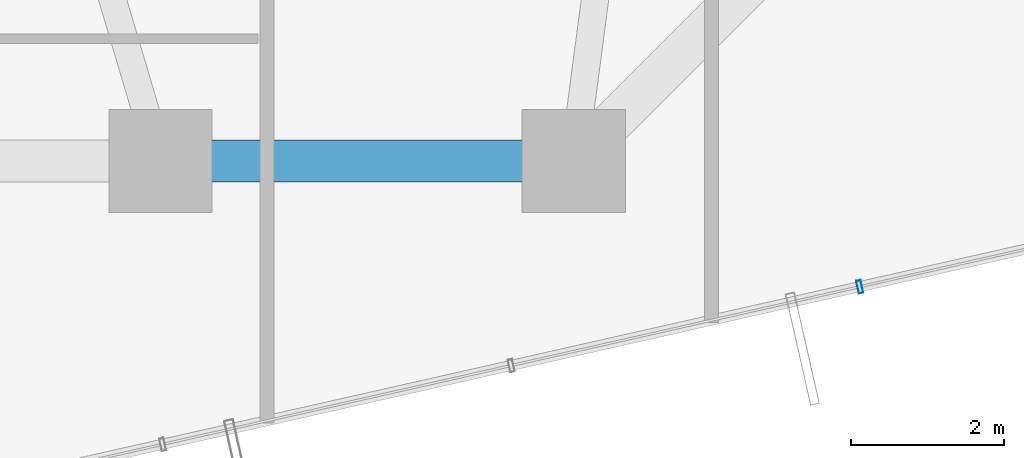
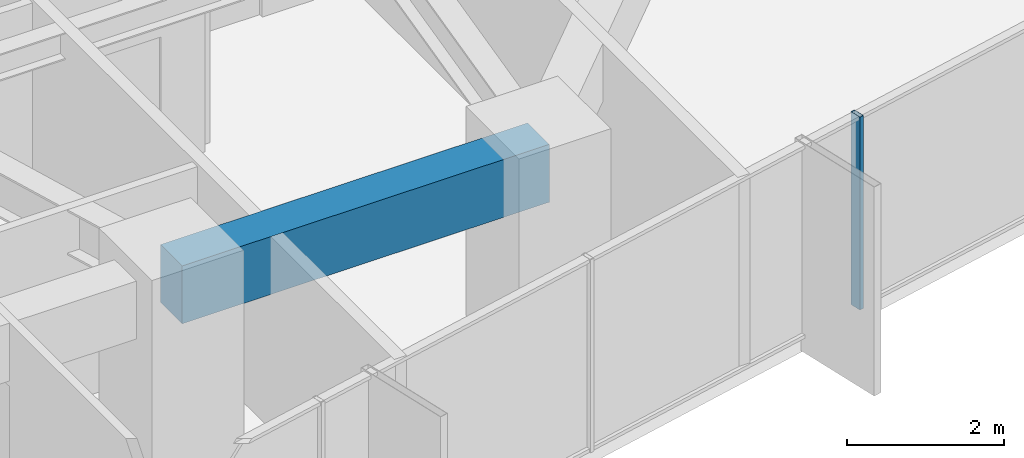
# One storey, part 8 of 39: 1 beam, 1 member, 1 element without a shape of its own.
"""IFC4 building model written with IfcOpenShell, lengths in metres."""

from ifc_helpers import new_model, si_unit, direction, frame, origin, origin_2d, place, context, subcontext, project, spatial, rectangle, hollow_rectangle, extrude, source, transform, mapped, material, layer, layer_set, material_profile, profile_set, type_object, element, aggregate, save


model = new_model("IFC4")

# Units and contexts
model_context = context("Model", 3, precision=1e-05, world=origin(), true_north=direction((0.0, 1.0)))
body_context = subcontext(model_context, "Body", "Model", "MODEL_VIEW")
ifc_project = project(units=[si_unit("LENGTHUNIT", "METRE"), si_unit("AREAUNIT", "SQUARE_METRE"), si_unit("VOLUMEUNIT", "CUBIC_METRE"), si_unit("PLANEANGLEUNIT", "RADIAN"), si_unit("MASSUNIT", "GRAM", prefix="KILO")], contexts=[model_context])

# Site, building, storey
site_placement = place(None, origin())
site = spatial("IfcSite", under=ifc_project, at=site_placement, CompositionType="ELEMENT")
building_placement = place(site_placement, origin())
building = spatial("IfcBuilding", under=site, at=building_placement, Name="Veraguas Prism Commons", CompositionType="ELEMENT")
storey_placement = place(building_placement, frame((0.0, 0.0, 67.35009765625)))
storey = spatial("IfcBuildingStorey", under=building, at=storey_placement, Name="L18", CompositionType="ELEMENT", Elevation=67.35009765625)

# Beam
ifc_material_1 = material(Name="Concrete C50/60", Category="concrete")
ifc_material_profile_1 = material_profile(ifc_material_1, rectangle(XDim=0.550048828125, YDim=0.89990234375, at=origin_2d()), Name="RC550X900")
ifc_profile_set_1 = profile_set([ifc_material_profile_1], Name="Concrete C50/60")
beam_type = type_object("IfcBeamType", Name="Perimeter Spandrel Lower RC 550x900", PredefinedType="SPANDREL", material=ifc_profile_set_1)
beam_placement = place(storey_placement, frame((24.0, 6.39990234375, 2.5498046875), z_axis=(1.0, 0.0, 0.0), x_axis=(0.0, 1.0, 0.0)))
element("IfcBeam", 1, at=beam_placement, inside=storey, type_object=beam_type, Name="Perimeter Spandrel Beam L18-SP11", PredefinedType="SPANDREL", context=body_context, shape_type="SweptSolid", body=[
    extrude(rectangle(XDim=0.550048828125, YDim=0.89990234375, at=origin_2d()), origin(), (0.0, 0.0, 1.0), 5.39990234375),
])

# Curtain wall, member
ifc_material_2 = material(Name="Anodised aluminium EN AW-6063 T6", Category="aluminium")
ifc_layer = layer(ifc_material_2, 0.169921875, Name="Unitised Flush Curtain Wall Zone 1", Category="aluminium")
ifc_layer_set = layer_set([ifc_layer], Name="Anodised aluminium EN AW-6063 T6")
curtain_wall_type = type_object("IfcCurtainWallType", Name="Unitised Flush Curtain Wall Zone 1", PredefinedType="NOTDEFINED", material=ifc_layer_set)
curtain_wall_placement = place(storey_placement, origin())
curtain_wall = element("IfcCurtainWall", 2, at=curtain_wall_placement, inside=storey, type_object=curtain_wall_type, Name="Tower Facade Curtain Wall L18-F5", PredefinedType="NOTDEFINED")
ifc_material_profile_2 = material_profile(ifc_material_2, hollow_rectangle(XDim=0.06005859375, YDim=0.169921875, WallThickness=0.00390625, at=origin_2d()), Name="AL60X170X4")
ifc_profile_set_2 = profile_set([ifc_material_profile_2], Name="Anodised aluminium EN AW-6063 T6")
member_type = type_object("IfcMemberType", Name="Curtain Wall Mullion Lower AL 60x170x4", PredefinedType="MULLION", material=ifc_profile_set_2)
shared_shape = source(origin(), body_context, "Body", "SweptSolid", [
    extrude(hollow_rectangle(XDim=0.06005859375, YDim=0.169921875, WallThickness=0.00390625, at=origin_2d()), origin(), (0.0, 0.0, 1.0), 3.0),
])
member_placement = place(storey_placement, frame((33.139404296875, 4.757080078125, 0.0), z_axis=(0.0, 0.0, 1.0), x_axis=(0.975379669931, 0.220532309392, 0.0)))
member = element("IfcMember", 3, at=member_placement, type_object=member_type, Name="CW-Z1 Mullion 4", PredefinedType="MULLION", context=body_context, shape_type="MappedRepresentation", body=[
    mapped(shared_shape, transform((0.0, 0.0, 0.0), scale=1.0)),
])
aggregate(curtain_wall, [member])

save(model, "model.ifc")
